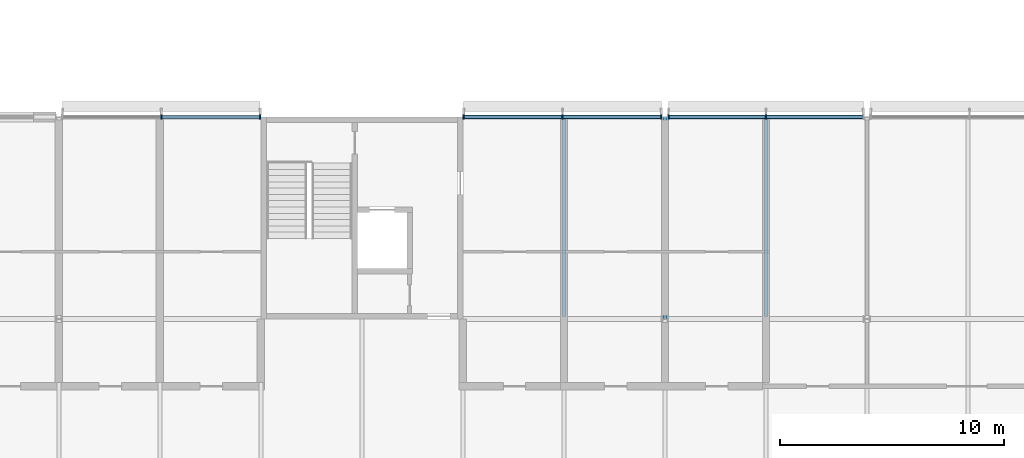
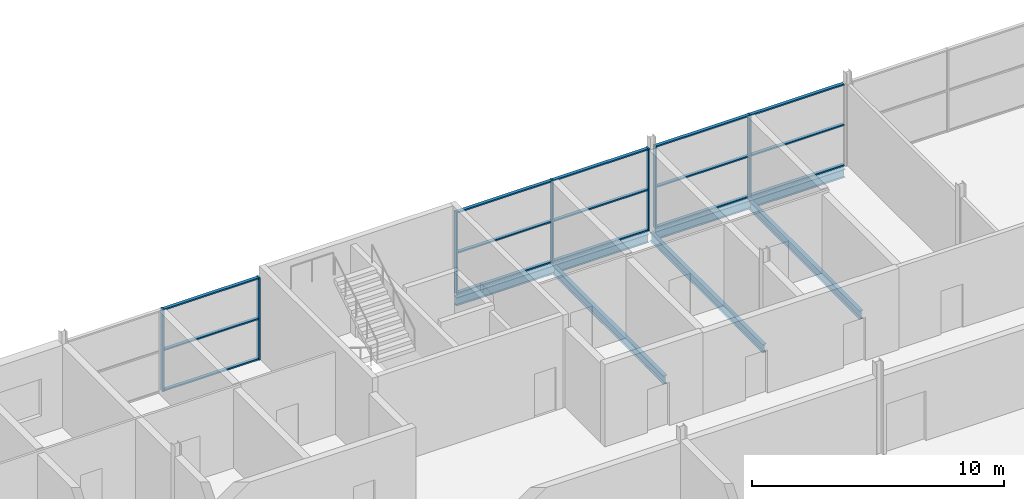
# One storey, part 58 of 97: 22 members, 5 beams, 3 elements without a shape of their own.
"""IFC4 building model written with IfcOpenShell, lengths in metres."""

from ifc_helpers import new_model, si_unit, direction, frame, origin, origin_2d, place, context, subcontext, project, spatial, rectangle, i_section, extrude, material, layer, layer_set, material_profile, profile_set, type_object, element, aggregate, save


model = new_model("IFC4")

# Units and contexts
model_context = context("Model", 3, precision=1e-05, world=origin(), true_north=direction((0.0, 1.0)))
body_context = subcontext(model_context, "Body", "Model", "MODEL_VIEW")
ifc_project = project(units=[si_unit("LENGTHUNIT", "METRE"), si_unit("AREAUNIT", "SQUARE_METRE"), si_unit("VOLUMEUNIT", "CUBIC_METRE"), si_unit("PLANEANGLEUNIT", "RADIAN"), si_unit("MASSUNIT", "GRAM", prefix="KILO")], contexts=[model_context])

# Site, building, storey
site_placement = place(None, origin())
site = spatial("IfcSite", under=ifc_project, at=site_placement, CompositionType="ELEMENT")
building_placement = place(site_placement, origin())
building = spatial("IfcBuilding", under=site, at=building_placement, Name="Corbel Yard City Hall", CompositionType="ELEMENT")
storey_placement = place(building_placement, frame((0.0, 0.0, 6.0)))
storey = spatial("IfcBuildingStorey", under=building, at=storey_placement, Name="L01", CompositionType="ELEMENT", Elevation=6.0)

# Beams
ifc_material_1 = material(Name="Steel Grade 300 (300 MPa yield)", Category="steel")
ifc_material_profile_1 = material_profile(ifc_material_1, i_section(OverallWidth=0.177978515625, OverallDepth=0.403076171875, WebThickness=0.007568359375, FlangeThickness=0.010986328125, at=origin_2d()), Name="410UB53.7")
ifc_profile_set_1 = profile_set([ifc_material_profile_1], Name="Steel Grade 300 (300 MPa yield)")
beam_type_1 = type_object("IfcBeamType", Name="Beam 410UB53.7", PredefinedType="BEAM", material=ifc_profile_set_1)
beam_1_placement = place(storey_placement, frame((153.0, 108.0078125, -0.3515625), z_axis=(0.0, 1.0, 0.0), x_axis=(-1.0, 0.0, 0.0)))
element("IfcBeam", 1, at=beam_1_placement, inside=storey, type_object=beam_type_1, Name="Beam 410UB53.7 SB6 L01floor", PredefinedType="BEAM", context=body_context, shape_type="SweptSolid", body=[
    extrude(i_section(OverallWidth=0.177978515625, OverallDepth=0.403076171875, WebThickness=0.007568359375, FlangeThickness=0.010986328125, at=origin_2d()), origin(), (0.0, 0.0, 1.0), 8.986328125),
])
ifc_material_profile_2 = material_profile(ifc_material_1, i_section(OverallWidth=0.177978515625, OverallDepth=0.406005859375, WebThickness=0.0078125, FlangeThickness=0.0126953125, at=origin_2d()), Name="410UB59.7")
ifc_profile_set_2 = profile_set([ifc_material_profile_2], Name="Steel Grade 300 (300 MPa yield)")
beam_type_2 = type_object("IfcBeamType", Name="Edge beam 410UB59.7", PredefinedType="BEAM", material=ifc_profile_set_2)
beam_2_placement = place(storey_placement, frame((144.0, 117.0, -0.35302734375), z_axis=(1.0, 0.0, 0.0), x_axis=(0.0, 1.0, 0.0)))
element("IfcBeam", 2, at=beam_2_placement, inside=storey, type_object=beam_type_2, Name="Edge beam 410UB59.7 EB2 L01floor", PredefinedType="BEAM", context=body_context, shape_type="SweptSolid", body=[
    extrude(i_section(OverallWidth=0.177978515625, OverallDepth=0.406005859375, WebThickness=0.0078125, FlangeThickness=0.0126953125, at=origin_2d()), origin(), (0.0, 0.0, 1.0), 8.842529296875),
])
beam_3_placement = place(storey_placement, frame((153.157470703125, 117.0, -0.35302734375), z_axis=(1.0, 0.0, 0.0), x_axis=(0.0, 1.0, 0.0)))
element("IfcBeam", 3, at=beam_3_placement, inside=storey, type_object=beam_type_2, Name="Edge beam 410UB59.7 EB2 L01floor", PredefinedType="BEAM", context=body_context, shape_type="SweptSolid", body=[
    extrude(i_section(OverallWidth=0.177978515625, OverallDepth=0.406005859375, WebThickness=0.0078125, FlangeThickness=0.0126953125, at=origin_2d()), origin(), (0.0, 0.0, 1.0), 8.68505859375),
])

# Curtain wall, members
ifc_material_2 = material(Name="Aluminium extrusion", Category="aluminium")
ifc_layer = layer(ifc_material_2, 0.199951171875)
ifc_layer_set = layer_set([ifc_layer], Name="Aluminium extrusion")
curtain_wall_type = type_object("IfcCurtainWallType", Name="CW1", PredefinedType="USERDEFINED", material=ifc_layer_set)
curtain_wall_1_placement = place(storey_placement, origin())
curtain_wall_1 = element("IfcCurtainWall", 4, at=curtain_wall_1_placement, inside=storey, type_object=curtain_wall_type, Name="Curtain wall CW1 L01", ObjectType="CURTAIN WALL", PredefinedType="USERDEFINED")
ifc_material_profile_3 = material_profile(ifc_material_2, rectangle(XDim=0.199951171875, YDim=0.06494140625, at=origin_2d()), Name="200x65")
ifc_profile_set_3 = profile_set([ifc_material_profile_3], Name="Aluminium extrusion")
member_type_1 = type_object("IfcMemberType", Name="ML1", PredefinedType="MULLION", material=ifc_profile_set_3)
member_1_placement = place(storey_placement, frame((130.56494140625, 117.0, 0.0), z_axis=(0.0, 0.0, 1.0), x_axis=(0.0, 1.0, 0.0)))
member_1 = element("IfcMember", 5, at=member_1_placement, type_object=member_type_1, Name="CW1 mullion 2", PredefinedType="MULLION", context=body_context, shape_type="SweptSolid", body=[
    extrude(rectangle(XDim=0.199951171875, YDim=0.06494140625, at=origin_2d()), origin(), (0.0, 0.0, 1.0), 3.990966796875),
])
member_2_placement = place(storey_placement, frame((134.967529296875, 117.0, 0.0), z_axis=(0.0, 0.0, 1.0), x_axis=(0.0, 1.0, 0.0)))
member_2 = element("IfcMember", 6, at=member_2_placement, type_object=member_type_1, Name="CW1 mullion 3", PredefinedType="MULLION", context=body_context, shape_type="SweptSolid", body=[
    extrude(rectangle(XDim=0.199951171875, YDim=0.06494140625, at=origin_2d()), origin(), (0.0, 0.0, 1.0), 3.990966796875),
])

curtain_wall_2_placement = place(storey_placement, origin())
curtain_wall_2 = element("IfcCurtainWall", 7, at=curtain_wall_2_placement, inside=storey, type_object=curtain_wall_type, Name="Curtain wall CW1 L01", ObjectType="CURTAIN WALL", PredefinedType="USERDEFINED")
member_3_placement = place(storey_placement, frame((144.032470703125, 117.0, 0.0), z_axis=(0.0, 0.0, 1.0), x_axis=(0.0, 1.0, 0.0)))
member_3 = element("IfcMember", 8, at=member_3_placement, type_object=member_type_1, Name="CW1 mullion 1", PredefinedType="MULLION", context=body_context, shape_type="SweptSolid", body=[
    extrude(rectangle(XDim=0.199951171875, YDim=0.06494140625, at=origin_2d()), origin(), (0.0, 0.0, 1.0), 3.990966796875),
])
member_4_placement = place(storey_placement, frame((148.43505859375, 117.0, 0.0), z_axis=(0.0, 0.0, 1.0), x_axis=(0.0, 1.0, 0.0)))
member_4 = element("IfcMember", 9, at=member_4_placement, type_object=member_type_1, Name="CW1 mullion 2", PredefinedType="MULLION", context=body_context, shape_type="SweptSolid", body=[
    extrude(rectangle(XDim=0.199951171875, YDim=0.06494140625, at=origin_2d()), origin(), (0.0, 0.0, 1.0), 3.990966796875),
])
member_5_placement = place(storey_placement, frame((152.83740234375, 117.0, 0.0), z_axis=(0.0, 0.0, 1.0), x_axis=(0.0, 1.0, 0.0)))
member_5 = element("IfcMember", 10, at=member_5_placement, type_object=member_type_1, Name="CW1 mullion 3", PredefinedType="MULLION", context=body_context, shape_type="SweptSolid", body=[
    extrude(rectangle(XDim=0.199951171875, YDim=0.06494140625, at=origin_2d()), origin(), (0.0, 0.0, 1.0), 3.990966796875),
])

curtain_wall_3_placement = place(storey_placement, origin())
curtain_wall_3 = element("IfcCurtainWall", 11, at=curtain_wall_3_placement, inside=storey, type_object=curtain_wall_type, Name="Curtain wall CW1 L01", ObjectType="CURTAIN WALL", PredefinedType="USERDEFINED")
member_6_placement = place(storey_placement, frame((153.16259765625, 117.0, 0.0), z_axis=(0.0, 0.0, 1.0), x_axis=(0.0, 1.0, 0.0)))
member_6 = element("IfcMember", 12, at=member_6_placement, type_object=member_type_1, Name="CW1 mullion 1", PredefinedType="MULLION", context=body_context, shape_type="SweptSolid", body=[
    extrude(rectangle(XDim=0.199951171875, YDim=0.06494140625, at=origin_2d()), origin(), (0.0, 0.0, 1.0), 3.990966796875),
])
member_7_placement = place(storey_placement, frame((157.5, 117.0, 0.0), z_axis=(0.0, 0.0, 1.0), x_axis=(0.0, 1.0, 0.0)))
member_7 = element("IfcMember", 13, at=member_7_placement, type_object=member_type_1, Name="CW1 mullion 2", PredefinedType="MULLION", context=body_context, shape_type="SweptSolid", body=[
    extrude(rectangle(XDim=0.199951171875, YDim=0.06494140625, at=origin_2d()), origin(), (0.0, 0.0, 1.0), 3.990966796875),
])

# Beams
ifc_material_profile_4 = material_profile(ifc_material_1, i_section(OverallWidth=0.177978515625, OverallDepth=0.403076171875, WebThickness=0.007568359375, FlangeThickness=0.010986328125, at=origin_2d()), Name="410UB53.7")
ifc_profile_set_4 = profile_set([ifc_material_profile_4], Name="Steel Grade 300 (300 MPa yield)")
beam_type_3 = type_object("IfcBeamType", Name="Secondary beam 410UB53.7", PredefinedType="JOIST", material=ifc_profile_set_4)
for number, where, z_axis, x_axis, name in (
    (14, (148.5, 108.1044921875, -0.3515625), (0.0, 1.0, 0.0), (-1.0, 0.0, 0.0), "Secondary beam 410UB53.7 SB5 L01floor"),
    (15, (157.5, 108.1044921875, -0.3515625), (0.0, 1.0, 0.0), (-1.0, 0.0, 0.0), "Secondary beam 410UB53.7 SB5 L01floor"),
):
    element("IfcBeam", number, at=place(storey_placement, frame(where, z_axis=z_axis, x_axis=x_axis)), inside=storey, type_object=beam_type_3, Name=name, PredefinedType="JOIST", context=body_context, shape_type="SweptSolid", body=[
        extrude(i_section(OverallWidth=0.177978515625, OverallDepth=0.403076171875, WebThickness=0.007568359375, FlangeThickness=0.010986328125, at=origin_2d()), origin(), (0.0, 0.0, 1.0), 8.806396484375),
    ])

# Member
ifc_material_profile_5 = material_profile(ifc_material_2, rectangle(XDim=0.14990234375, YDim=0.06494140625, at=origin_2d()), Name="150x65")
ifc_profile_set_5 = profile_set([ifc_material_profile_5], Name="Aluminium extrusion")
member_type_2 = type_object("IfcMemberType", Name="TR1", PredefinedType="USERDEFINED", material=ifc_profile_set_5)
member_8_placement = place(storey_placement, frame((130.597412109375, 117.0, 0.032470703125), z_axis=(1.0, 0.0, 0.0), x_axis=(0.0, 1.0, 0.0)))
member_8 = element("IfcMember", 16, at=member_8_placement, type_object=member_type_2, Name="CW1 transom 2.1", ObjectType="TRANSOM", PredefinedType="USERDEFINED", context=body_context, shape_type="SweptSolid", body=[
    extrude(rectangle(XDim=0.14990234375, YDim=0.06494140625, at=origin_2d()), origin(), (0.0, 0.0, 1.0), 4.337646484375),
])

member_9_placement = place(storey_placement, frame((130.597412109375, 117.0, 1.99560546875), z_axis=(1.0, 0.0, 0.0), x_axis=(0.0, 1.0, 0.0)))
member_9 = element("IfcMember", 17, at=member_9_placement, type_object=member_type_2, Name="CW1 transom 2.2", ObjectType="TRANSOM", PredefinedType="USERDEFINED", context=body_context, shape_type="SweptSolid", body=[
    extrude(rectangle(XDim=0.14990234375, YDim=0.06494140625, at=origin_2d()), origin(), (0.0, 0.0, 1.0), 4.337646484375),
])

member_10_placement = place(storey_placement, frame((130.597412109375, 117.0, 3.95849609375), z_axis=(1.0, 0.0, 0.0), x_axis=(0.0, 1.0, 0.0)))
member_10 = element("IfcMember", 18, at=member_10_placement, type_object=member_type_2, Name="CW1 transom 2.3", ObjectType="TRANSOM", PredefinedType="USERDEFINED", context=body_context, shape_type="SweptSolid", body=[
    extrude(rectangle(XDim=0.14990234375, YDim=0.06494140625, at=origin_2d()), origin(), (0.0, 0.0, 1.0), 4.337646484375),
])

aggregate(curtain_wall_1, [member_1, member_2, member_8, member_9, member_10])

member_11_placement = place(storey_placement, frame((144.06494140625, 117.0, 0.032470703125), z_axis=(1.0, 0.0, 0.0), x_axis=(0.0, 1.0, 0.0)))
member_11 = element("IfcMember", 19, at=member_11_placement, type_object=member_type_2, Name="CW1 transom 1.1", ObjectType="TRANSOM", PredefinedType="USERDEFINED", context=body_context, shape_type="SweptSolid", body=[
    extrude(rectangle(XDim=0.14990234375, YDim=0.06494140625, at=origin_2d()), origin(), (0.0, 0.0, 1.0), 4.337646484375),
])

member_12_placement = place(storey_placement, frame((144.06494140625, 117.0, 1.99560546875), z_axis=(1.0, 0.0, 0.0), x_axis=(0.0, 1.0, 0.0)))
member_12 = element("IfcMember", 20, at=member_12_placement, type_object=member_type_2, Name="CW1 transom 1.2", ObjectType="TRANSOM", PredefinedType="USERDEFINED", context=body_context, shape_type="SweptSolid", body=[
    extrude(rectangle(XDim=0.14990234375, YDim=0.06494140625, at=origin_2d()), origin(), (0.0, 0.0, 1.0), 4.337646484375),
])

member_13_placement = place(storey_placement, frame((144.06494140625, 117.0, 3.95849609375), z_axis=(1.0, 0.0, 0.0), x_axis=(0.0, 1.0, 0.0)))
member_13 = element("IfcMember", 21, at=member_13_placement, type_object=member_type_2, Name="CW1 transom 1.3", ObjectType="TRANSOM", PredefinedType="USERDEFINED", context=body_context, shape_type="SweptSolid", body=[
    extrude(rectangle(XDim=0.14990234375, YDim=0.06494140625, at=origin_2d()), origin(), (0.0, 0.0, 1.0), 4.337646484375),
])

member_14_placement = place(storey_placement, frame((148.467529296875, 117.0, 0.032470703125), z_axis=(1.0, 0.0, 0.0), x_axis=(0.0, 1.0, 0.0)))
member_14 = element("IfcMember", 22, at=member_14_placement, type_object=member_type_2, Name="CW1 transom 2.1", ObjectType="TRANSOM", PredefinedType="USERDEFINED", context=body_context, shape_type="SweptSolid", body=[
    extrude(rectangle(XDim=0.14990234375, YDim=0.06494140625, at=origin_2d()), origin(), (0.0, 0.0, 1.0), 4.33740234375),
])

member_15_placement = place(storey_placement, frame((148.467529296875, 117.0, 1.99560546875), z_axis=(1.0, 0.0, 0.0), x_axis=(0.0, 1.0, 0.0)))
member_15 = element("IfcMember", 23, at=member_15_placement, type_object=member_type_2, Name="CW1 transom 2.2", ObjectType="TRANSOM", PredefinedType="USERDEFINED", context=body_context, shape_type="SweptSolid", body=[
    extrude(rectangle(XDim=0.14990234375, YDim=0.06494140625, at=origin_2d()), origin(), (0.0, 0.0, 1.0), 4.33740234375),
])

member_16_placement = place(storey_placement, frame((148.467529296875, 117.0, 3.95849609375), z_axis=(1.0, 0.0, 0.0), x_axis=(0.0, 1.0, 0.0)))
member_16 = element("IfcMember", 24, at=member_16_placement, type_object=member_type_2, Name="CW1 transom 2.3", ObjectType="TRANSOM", PredefinedType="USERDEFINED", context=body_context, shape_type="SweptSolid", body=[
    extrude(rectangle(XDim=0.14990234375, YDim=0.06494140625, at=origin_2d()), origin(), (0.0, 0.0, 1.0), 4.33740234375),
])

aggregate(curtain_wall_2, [member_3, member_4, member_5, member_11, member_12, member_13, member_14, member_15, member_16])

member_17_placement = place(storey_placement, frame((153.195068359375, 117.0, 0.032470703125), z_axis=(1.0, 0.0, 0.0), x_axis=(0.0, 1.0, 0.0)))
member_17 = element("IfcMember", 25, at=member_17_placement, type_object=member_type_2, Name="CW1 transom 1.1", ObjectType="TRANSOM", PredefinedType="USERDEFINED", context=body_context, shape_type="SweptSolid", body=[
    extrude(rectangle(XDim=0.14990234375, YDim=0.06494140625, at=origin_2d()), origin(), (0.0, 0.0, 1.0), 4.2724609375),
])

member_18_placement = place(storey_placement, frame((153.195068359375, 117.0, 1.99560546875), z_axis=(1.0, 0.0, 0.0), x_axis=(0.0, 1.0, 0.0)))
member_18 = element("IfcMember", 26, at=member_18_placement, type_object=member_type_2, Name="CW1 transom 1.2", ObjectType="TRANSOM", PredefinedType="USERDEFINED", context=body_context, shape_type="SweptSolid", body=[
    extrude(rectangle(XDim=0.14990234375, YDim=0.06494140625, at=origin_2d()), origin(), (0.0, 0.0, 1.0), 4.2724609375),
])

member_19_placement = place(storey_placement, frame((153.195068359375, 117.0, 3.95849609375), z_axis=(1.0, 0.0, 0.0), x_axis=(0.0, 1.0, 0.0)))
member_19 = element("IfcMember", 27, at=member_19_placement, type_object=member_type_2, Name="CW1 transom 1.3", ObjectType="TRANSOM", PredefinedType="USERDEFINED", context=body_context, shape_type="SweptSolid", body=[
    extrude(rectangle(XDim=0.14990234375, YDim=0.06494140625, at=origin_2d()), origin(), (0.0, 0.0, 1.0), 4.2724609375),
])

member_20_placement = place(storey_placement, frame((157.532470703125, 117.0, 0.032470703125), z_axis=(1.0, 0.0, 0.0), x_axis=(0.0, 1.0, 0.0)))
member_20 = element("IfcMember", 28, at=member_20_placement, type_object=member_type_2, Name="CW1 transom 2.1", ObjectType="TRANSOM", PredefinedType="USERDEFINED", context=body_context, shape_type="SweptSolid", body=[
    extrude(rectangle(XDim=0.14990234375, YDim=0.06494140625, at=origin_2d()), origin(), (0.0, 0.0, 1.0), 4.2724609375),
])

member_21_placement = place(storey_placement, frame((157.532470703125, 117.0, 1.99560546875), z_axis=(1.0, 0.0, 0.0), x_axis=(0.0, 1.0, 0.0)))
member_21 = element("IfcMember", 29, at=member_21_placement, type_object=member_type_2, Name="CW1 transom 2.2", ObjectType="TRANSOM", PredefinedType="USERDEFINED", context=body_context, shape_type="SweptSolid", body=[
    extrude(rectangle(XDim=0.14990234375, YDim=0.06494140625, at=origin_2d()), origin(), (0.0, 0.0, 1.0), 4.2724609375),
])

member_22_placement = place(storey_placement, frame((157.532470703125, 117.0, 3.95849609375), z_axis=(1.0, 0.0, 0.0), x_axis=(0.0, 1.0, 0.0)))
member_22 = element("IfcMember", 30, at=member_22_placement, type_object=member_type_2, Name="CW1 transom 2.3", ObjectType="TRANSOM", PredefinedType="USERDEFINED", context=body_context, shape_type="SweptSolid", body=[
    extrude(rectangle(XDim=0.14990234375, YDim=0.06494140625, at=origin_2d()), origin(), (0.0, 0.0, 1.0), 4.2724609375),
])

aggregate(curtain_wall_3, [member_6, member_7, member_17, member_18, member_19, member_20, member_21, member_22])

save(model, "model.ifc")
